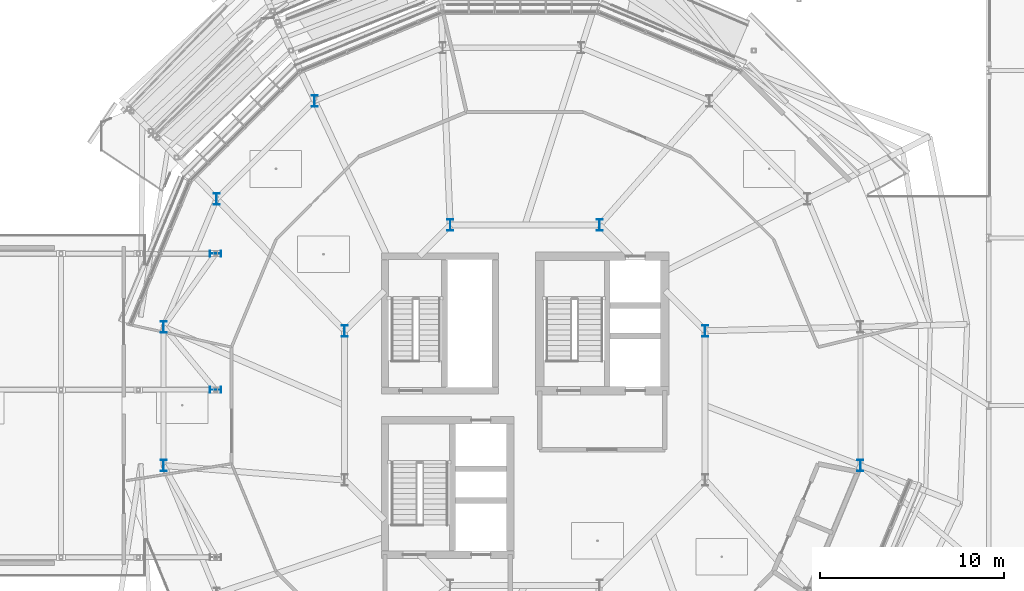
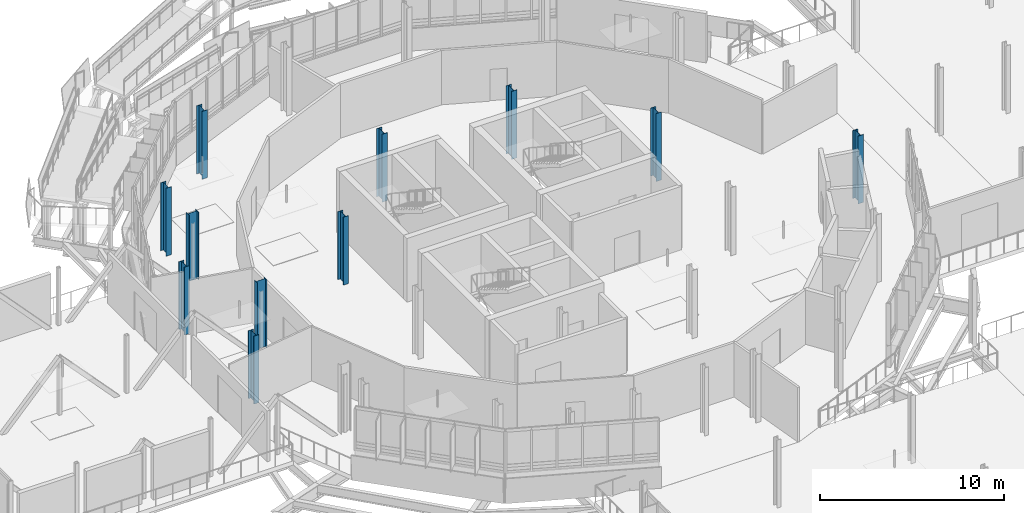
# One storey, part 8 of 139: 11 columns.
"""IFC4 building model written with IfcOpenShell, lengths in metres."""

from ifc_helpers import new_model, si_unit, derived_unit, direction, frame, origin, origin_2d, place, context, subcontext, project, spatial, i_section, extrude, material, material_profile, profile_set, type_object, element, save


model = new_model("IFC4")

# Units and contexts
model_context = context("Model", 3, precision=1e-05, world=origin(), true_north=direction((0.0, 1.0)))
body_context = subcontext(model_context, "Body", "Model", "MODEL_VIEW")
ifc_project = project(units=[si_unit("LENGTHUNIT", "METRE"), si_unit("AREAUNIT", "SQUARE_METRE"), si_unit("VOLUMEUNIT", "CUBIC_METRE"), si_unit("PLANEANGLEUNIT", "RADIAN"), si_unit("MASSUNIT", "GRAM", prefix="KILO"), derived_unit("THERMALTRANSMITTANCEUNIT", [(si_unit("MASSUNIT", "GRAM", prefix="KILO"), 1), (si_unit("TIMEUNIT", "SECOND"), -3), (si_unit("THERMODYNAMICTEMPERATUREUNIT", "KELVIN"), -1)])], contexts=[model_context])

# Site, building, storey
site_placement = place(None, origin())
site = spatial("IfcSite", under=ifc_project, at=site_placement, CompositionType="ELEMENT")
building_placement = place(site_placement, origin())
building = spatial("IfcBuilding", under=site, at=building_placement, Name="Makaiwela Harbour Ferry Terminal", CompositionType="ELEMENT")
storey_placement = place(building_placement, frame((0.0, 0.0, 5.10009765625)))
storey = spatial("IfcBuildingStorey", under=building, at=storey_placement, Name="L01", CompositionType="ELEMENT", Elevation=5.10009765625)

# Columns
ifc_material = material(Name="Steel ASTM A992 Grade 50", Category="steel")
ifc_material_profile_1 = material_profile(ifc_material, i_section(OverallWidth=0.324951171875, OverallDepth=0.615966796875, WebThickness=0.013916015625, FlangeThickness=0.021484375, at=origin_2d()), Name="W24X117")
ifc_profile_set_1 = profile_set([ifc_material_profile_1], Name="Steel ASTM A992 Grade 50")
column_type_1 = type_object("IfcColumnType", Name="STR-COL-W24X117", PredefinedType="COLUMN", material=ifc_profile_set_1)
for number, where, z_axis, x_axis, name in (
    (1, (26.37744140625, 84.1474609375, 0.0), (0.0, 0.0, 1.0), (1.0, 0.0, 0.0), "Structural Column C-02"),
    (2, (21.052490234375, 78.822509765625, 0.0), (0.0, 0.0, 1.0), (1.0, 0.0, 0.0), "Structural Column C-02"),
    (3, (18.1708984375, 71.865234375, 0.0), (0.0, 0.0, 1.0), (1.0, 0.0, 0.0), "Structural Column C-02"),
    (4, (18.1708984375, 64.334716796875, 0.0), (0.0, 0.0, 1.0), (1.0, 0.0, 0.0), "Structural Column C-02"),
    (5, (56.029296875, 64.334716796875, 0.0), (0.0, 0.0, 1.0), (1.0, 0.0, 0.0), "Structural Column C-02"),
    (6, (21.0, 68.449951171875, 0.0), (0.0, 0.0, 1.0), (0.0, 1.0, 0.0), "Structural Column C-02"),
    (7, (21.0, 75.85009765625, 0.0), (0.0, 0.0, 1.0), (0.0, 1.0, 0.0), "Structural Column C-02"),
):
    element("IfcColumn", number, at=place(storey_placement, frame(where, z_axis=z_axis, x_axis=x_axis)), inside=storey, type_object=column_type_1, Name=name, PredefinedType="COLUMN", context=body_context, shape_type="SweptSolid", body=[
        extrude(i_section(OverallWidth=0.324951171875, OverallDepth=0.615966796875, WebThickness=0.013916015625, FlangeThickness=0.021484375, at=origin_2d()), origin(), (0.0, 0.0, 1.0), 4.5),
    ])
ifc_material_profile_2 = material_profile(ifc_material, i_section(OverallWidth=0.327880859375, OverallDepth=0.6279296875, WebThickness=0.0166015625, FlangeThickness=0.027587890625, at=origin_2d()), Name="W24X146")
ifc_profile_set_2 = profile_set([ifc_material_profile_2], Name="Steel ASTM A992 Grade 50")
column_type_2 = type_object("IfcColumnType", Name="STR-COL-W24X146", PredefinedType="COLUMN", material=ifc_profile_set_2)
for number, where, z_axis, x_axis, name in (
    (8, (47.593017578125, 71.656494140625, 0.0), (0.0, 0.0, 1.0), (1.0, 0.0, 0.0), "Structural Column C-01"),
    (9, (41.8564453125, 77.39306640625, 0.0), (0.0, 0.0, 1.0), (1.0, 0.0, 0.0), "Structural Column C-01"),
    (10, (33.74365234375, 77.39306640625, 0.0), (0.0, 0.0, 1.0), (1.0, 0.0, 0.0), "Structural Column C-01"),
    (11, (28.0068359375, 71.656494140625, 0.0), (0.0, 0.0, 1.0), (1.0, 0.0, 0.0), "Structural Column C-01"),
):
    element("IfcColumn", number, at=place(storey_placement, frame(where, z_axis=z_axis, x_axis=x_axis)), inside=storey, type_object=column_type_2, Name=name, PredefinedType="COLUMN", context=body_context, shape_type="SweptSolid", body=[
        extrude(i_section(OverallWidth=0.327880859375, OverallDepth=0.6279296875, WebThickness=0.0166015625, FlangeThickness=0.027587890625, at=origin_2d()), origin(), (0.0, 0.0, 1.0), 4.5),
    ])

save(model, "model.ifc")
